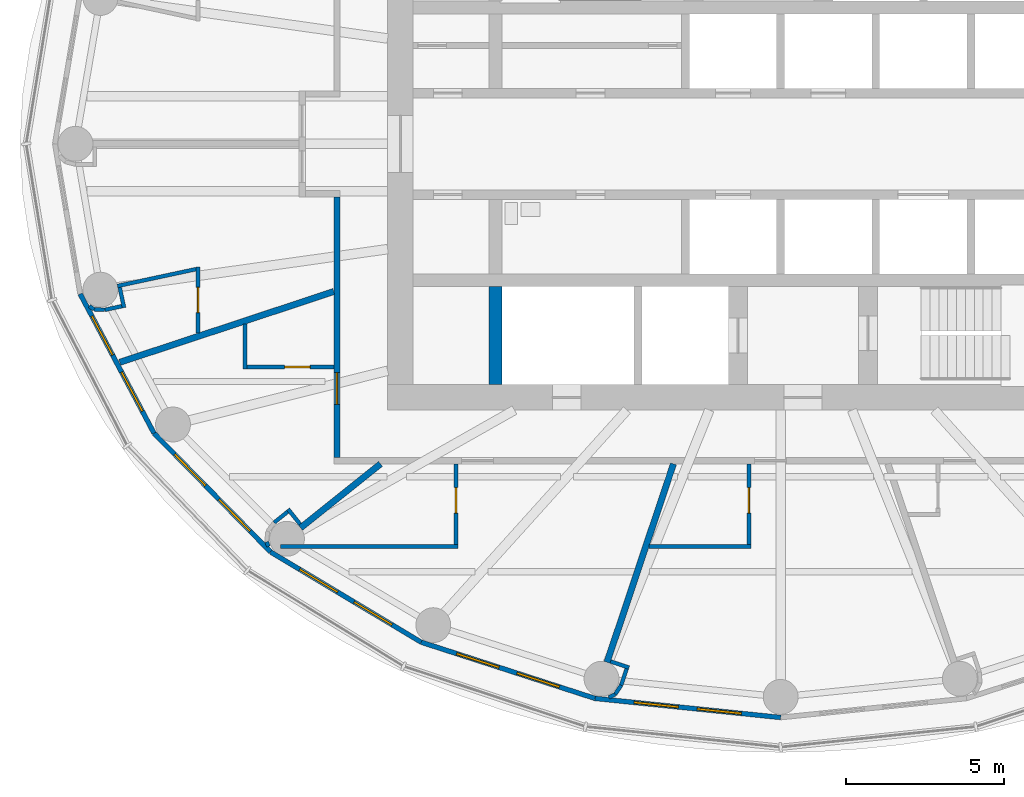
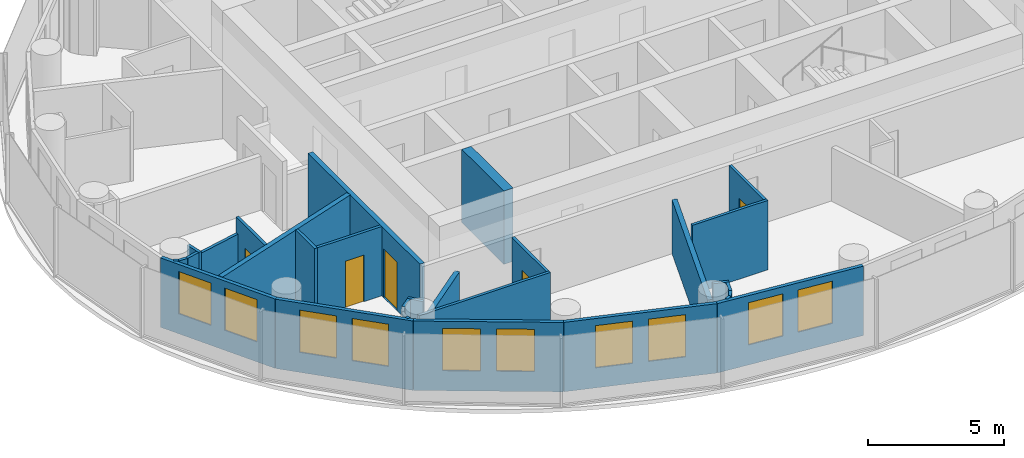
# One storey, part 6 of 16: 29 walls, 10 windows, 5 doors, 15 openings.
"""IFC4 building model written with IfcOpenShell, lengths in metres."""

from ifc_helpers import new_model, si_unit, direction, frame, frame_2d, origin, place, context, subcontext, project, spatial, rectangle, extrude, material, layer, layer_set, type_object, element, fill, save


model = new_model("IFC4")

# Units and contexts
model_context = context("Model", 3, precision=1e-05, world=origin(), true_north=direction((0.0, 1.0)))
body_context = subcontext(model_context, "Body", "Model", "MODEL_VIEW")
ifc_project = project(units=[si_unit("LENGTHUNIT", "METRE"), si_unit("AREAUNIT", "SQUARE_METRE"), si_unit("VOLUMEUNIT", "CUBIC_METRE"), si_unit("PLANEANGLEUNIT", "RADIAN"), si_unit("MASSUNIT", "GRAM", prefix="KILO")], contexts=[model_context])

# Site, building, storey
site_placement = place(None, origin())
site = spatial("IfcSite", under=ifc_project, at=site_placement, CompositionType="ELEMENT")
building_placement = place(site_placement, origin())
building = spatial("IfcBuilding", under=site, at=building_placement, Name="Hankou Lantern Tower", CompositionType="ELEMENT")
storey_placement = place(building_placement, frame((0.0, 0.0, 166.5)))
storey = spatial("IfcBuildingStorey", under=building, at=storey_placement, Name="L44", CompositionType="ELEMENT", Elevation=166.5)

# Wall
ifc_material_1 = material(Name="Concrete C60", Category="concrete")
ifc_layer_1 = layer(ifc_material_1, 0.39990234375)
ifc_layer_set_1 = layer_set([ifc_layer_1], Name="Concrete C60")
wall_type_1 = type_object("IfcWallType", Name="CW4 CORE CROSS WALL 400", PredefinedType="SHEAR", material=ifc_layer_set_1)
wall_1_placement = place(storey_placement, frame((-9.0, -7.60009765625, 0.0), z_axis=(0.0, 0.0, 1.0), x_axis=(0.0, 1.0, 0.0)))
element("IfcWall", 1, at=wall_1_placement, inside=storey, type_object=wall_type_1, Name="Core strip wall L44", PredefinedType="SHEAR", context=body_context, shape_type="SweptSolid", body=[
    extrude(rectangle(XDim=3.10009765625, YDim=0.39990234375, at=frame_2d((1.550048828125, 0.0))), origin(), (0.0, 0.0, 1.0), 3.300048828125),
])

# Wall, openings, windows
ifc_material_2 = material(Name="Aluminium spandrel panel on steel studs", Category="steel")
ifc_layer_2 = layer(ifc_material_2, 0.14990234375)
ifc_layer_set_2 = layer_set([ifc_layer_2], Name="Aluminium spandrel panel on steel studs")
wall_type_2 = type_object("IfcWallType", Name="EW1 INNER SKIN WALL 150", PredefinedType="ELEMENTEDWALL", material=ifc_layer_set_2)
wall_2_placement = place(storey_placement, frame((-22.1015625, -4.73779296875, 0.0), z_axis=(0.0, 0.0, 1.0), x_axis=(0.468428906714, -0.883501193748, 0.0)))
wall_2 = element("IfcWall", 2, at=wall_2_placement, inside=storey, type_object=wall_type_2, Name="Inner skin R14-R15 L44", PredefinedType="ELEMENTEDWALL", context=body_context, shape_type="SweptSolid", body=[
    extrude(rectangle(XDim=4.9736328125, YDim=0.14990234375, at=frame_2d((2.48681640625, 0.0))), origin(), (0.0, 0.0, 1.0), 3.1201171875),
])
opening_1_placement = place(wall_2_placement, frame((0.786865234375, 0.0, 0.89990234375)))
opening_1 = element("IfcOpeningElement", 3, at=opening_1_placement, cuts=wall_2, Name="Opening W3", PredefinedType="OPENING", context=body_context, shape_type="SweptSolid", body=[
    extrude(rectangle(XDim=1.39990234375, YDim=1.89990234375, at=frame_2d((0.699951171875, 0.949951171875))), frame((0.0, 0.0849609375, 0.0), z_axis=(0.0, -1.0, 0.0), x_axis=(1.0, 0.0, 0.0)), (0.0, 0.0, 1.0), 0.169921875),
])
opening_2_placement = place(wall_2_placement, frame((2.786865234375, 0.0, 0.89990234375)))
opening_2 = element("IfcOpeningElement", 4, at=opening_2_placement, cuts=wall_2, Name="Opening W3", PredefinedType="OPENING", context=body_context, shape_type="SweptSolid", body=[
    extrude(rectangle(XDim=1.39990234375, YDim=1.89990234375, at=frame_2d((0.699951171875, 0.949951171875))), frame((0.0, 0.0849609375, 0.0), z_axis=(0.0, -1.0, 0.0), x_axis=(1.0, 0.0, 0.0)), (0.0, 0.0, 1.0), 0.169921875),
])
ifc_material_3 = material(Name="Aluminium framed double glazed window", Category="aluminium")
window_type = type_object("IfcWindowType", Name="W3 GUEST ROOM WINDOW 1400X1900", PartitioningType="DOUBLE_PANEL_VERTICAL", PredefinedType="WINDOW", material=ifc_material_3)
window_1_placement = place(opening_1_placement, origin())
window_1 = element("IfcWindow", 5, at=window_1_placement, inside=storey, type_object=window_type, Name="Window R14.1 L44", OverallHeight=1.89990234375, OverallWidth=1.39990234375, PartitioningType="SINGLE_PANEL", PredefinedType="WINDOW", context=body_context, shape_type="SweptSolid", body=[
    extrude(rectangle(XDim=1.39990234375, YDim=1.89990234375, at=frame_2d((0.699951171875, 0.949951171875))), frame((0.0, 0.030029296875, 0.0), z_axis=(0.0, -1.0, 0.0), x_axis=(1.0, 0.0, 0.0)), (0.0, 0.0, 1.0), 0.06005859375),
])
fill(opening_1, window_1)
window_2_placement = place(opening_2_placement, origin())
window_2 = element("IfcWindow", 6, at=window_2_placement, inside=storey, type_object=window_type, Name="Window R14.2 L44", OverallHeight=1.89990234375, OverallWidth=1.39990234375, PartitioningType="SINGLE_PANEL", PredefinedType="WINDOW", context=body_context, shape_type="SweptSolid", body=[
    extrude(rectangle(XDim=1.39990234375, YDim=1.89990234375, at=frame_2d((0.699951171875, 0.949951171875))), frame((0.0, 0.030029296875, 0.0), z_axis=(0.0, -1.0, 0.0), x_axis=(1.0, 0.0, 0.0)), (0.0, 0.0, 1.0), 0.06005859375),
])
fill(opening_2, window_2)

wall_3_placement = place(storey_placement, frame((-19.771728515625, -9.132080078125, 0.0), z_axis=(0.0, 0.0, 1.0), x_axis=(0.700727467776, -0.71342905457, 0.0)))
wall_3 = element("IfcWall", 7, at=wall_3_placement, inside=storey, type_object=wall_type_2, Name="Inner skin R15-R16 L44", PredefinedType="ELEMENTEDWALL", context=body_context, shape_type="SweptSolid", body=[
    extrude(rectangle(XDim=5.247314453125, YDim=0.14990234375, at=frame_2d((2.62353515625, 0.0))), origin(), (0.0, 0.0, 1.0), 3.1201171875),
])
opening_3_placement = place(wall_3_placement, frame((0.923583984375, 0.0, 0.89990234375)))
opening_3 = element("IfcOpeningElement", 8, at=opening_3_placement, cuts=wall_3, Name="Opening W3", PredefinedType="OPENING", context=body_context, shape_type="SweptSolid", body=[
    extrude(rectangle(XDim=1.39990234375, YDim=1.89990234375, at=frame_2d((0.699951171875, 0.949951171875))), frame((0.0, 0.0849609375, 0.0), z_axis=(0.0, -1.0, 0.0), x_axis=(1.0, 0.0, 0.0)), (0.0, 0.0, 1.0), 0.169921875),
])
opening_4_placement = place(wall_3_placement, frame((2.923583984375, 0.0, 0.89990234375)))
opening_4 = element("IfcOpeningElement", 9, at=opening_4_placement, cuts=wall_3, Name="Opening W3", PredefinedType="OPENING", context=body_context, shape_type="SweptSolid", body=[
    extrude(rectangle(XDim=1.39990234375, YDim=1.89990234375, at=frame_2d((0.699951171875, 0.949951171875))), frame((0.0, 0.0849609375, 0.0), z_axis=(0.0, -1.0, 0.0), x_axis=(1.0, 0.0, 0.0)), (0.0, 0.0, 1.0), 0.169921875),
])
window_3_placement = place(opening_3_placement, origin())
window_3 = element("IfcWindow", 10, at=window_3_placement, inside=storey, type_object=window_type, Name="Window R15.1 L44", OverallHeight=1.89990234375, OverallWidth=1.39990234375, PartitioningType="SINGLE_PANEL", PredefinedType="WINDOW", context=body_context, shape_type="SweptSolid", body=[
    extrude(rectangle(XDim=1.39990234375, YDim=1.89990234375, at=frame_2d((0.699951171875, 0.949951171875))), frame((0.0, 0.030029296875, 0.0), z_axis=(0.0, -1.0, 0.0), x_axis=(1.0, 0.0, 0.0)), (0.0, 0.0, 1.0), 0.06005859375),
])
fill(opening_3, window_3)
window_4_placement = place(opening_4_placement, origin())
window_4 = element("IfcWindow", 11, at=window_4_placement, inside=storey, type_object=window_type, Name="Window R15.2 L44", OverallHeight=1.89990234375, OverallWidth=1.39990234375, PartitioningType="SINGLE_PANEL", PredefinedType="WINDOW", context=body_context, shape_type="SweptSolid", body=[
    extrude(rectangle(XDim=1.39990234375, YDim=1.89990234375, at=frame_2d((0.699951171875, 0.949951171875))), frame((0.0, 0.030029296875, 0.0), z_axis=(0.0, -1.0, 0.0), x_axis=(1.0, 0.0, 0.0)), (0.0, 0.0, 1.0), 0.06005859375),
])
fill(opening_4, window_4)

wall_4_placement = place(storey_placement, frame((-16.0947265625, -12.875732421875, 0.0), z_axis=(0.0, 0.0, 1.0), x_axis=(0.857695199231, -0.514158482587, 0.0)))
wall_4 = element("IfcWall", 12, at=wall_4_placement, inside=storey, type_object=wall_type_2, Name="Inner skin R16-R17 L44", PredefinedType="ELEMENTEDWALL", context=body_context, shape_type="SweptSolid", body=[
    extrude(rectangle(XDim=5.5361328125, YDim=0.14990234375, at=frame_2d((2.76806640625, 0.0))), origin(), (0.0, 0.0, 1.0), 3.1201171875),
])
opening_5_placement = place(wall_4_placement, frame((1.068115234375, 0.0, 0.89990234375)))
opening_5 = element("IfcOpeningElement", 13, at=opening_5_placement, cuts=wall_4, Name="Opening W3", PredefinedType="OPENING", context=body_context, shape_type="SweptSolid", body=[
    extrude(rectangle(XDim=1.39990234375, YDim=1.89990234375, at=frame_2d((0.699951171875, 0.949951171875))), frame((0.0, 0.0849609375, 0.0), z_axis=(0.0, -1.0, 0.0), x_axis=(1.0, 0.0, 0.0)), (0.0, 0.0, 1.0), 0.169921875),
])
opening_6_placement = place(wall_4_placement, frame((3.068115234375, 0.0, 0.89990234375)))
opening_6 = element("IfcOpeningElement", 14, at=opening_6_placement, cuts=wall_4, Name="Opening W3", PredefinedType="OPENING", context=body_context, shape_type="SweptSolid", body=[
    extrude(rectangle(XDim=1.39990234375, YDim=1.89990234375, at=frame_2d((0.699951171875, 0.949951171875))), frame((0.0, 0.0849609375, 0.0), z_axis=(0.0, -1.0, 0.0), x_axis=(1.0, 0.0, 0.0)), (0.0, 0.0, 1.0), 0.169921875),
])
window_5_placement = place(opening_5_placement, origin())
window_5 = element("IfcWindow", 15, at=window_5_placement, inside=storey, type_object=window_type, Name="Window R16.1 L44", OverallHeight=1.89990234375, OverallWidth=1.39990234375, PartitioningType="SINGLE_PANEL", PredefinedType="WINDOW", context=body_context, shape_type="SweptSolid", body=[
    extrude(rectangle(XDim=1.39990234375, YDim=1.89990234375, at=frame_2d((0.699951171875, 0.949951171875))), frame((0.0, 0.030029296875, 0.0), z_axis=(0.0, -1.0, 0.0), x_axis=(1.0, 0.0, 0.0)), (0.0, 0.0, 1.0), 0.06005859375),
])
fill(opening_5, window_5)
window_6_placement = place(opening_6_placement, origin())
window_6 = element("IfcWindow", 16, at=window_6_placement, inside=storey, type_object=window_type, Name="Window R16.2 L44", OverallHeight=1.89990234375, OverallWidth=1.39990234375, PartitioningType="SINGLE_PANEL", PredefinedType="WINDOW", context=body_context, shape_type="SweptSolid", body=[
    extrude(rectangle(XDim=1.39990234375, YDim=1.89990234375, at=frame_2d((0.699951171875, 0.949951171875))), frame((0.0, 0.030029296875, 0.0), z_axis=(0.0, -1.0, 0.0), x_axis=(1.0, 0.0, 0.0)), (0.0, 0.0, 1.0), 0.06005859375),
])
fill(opening_6, window_6)

wall_5_placement = place(storey_placement, frame((-11.346435546875, -15.72216796875, 0.0), z_axis=(0.0, 0.0, 1.0), x_axis=(0.951432482129, -0.307857486429, 0.0)))
wall_5 = element("IfcWall", 17, at=wall_5_placement, inside=storey, type_object=wall_type_2, Name="Inner skin R17-R18 L44", PredefinedType="ELEMENTEDWALL", context=body_context, shape_type="SweptSolid", body=[
    extrude(rectangle(XDim=5.76611328125, YDim=0.14990234375, at=frame_2d((2.883056640625, 0.0))), origin(), (0.0, 0.0, 1.0), 3.1201171875),
])
opening_7_placement = place(wall_5_placement, frame((1.18310546875, 0.0, 0.89990234375)))
opening_7 = element("IfcOpeningElement", 18, at=opening_7_placement, cuts=wall_5, Name="Opening W3", PredefinedType="OPENING", context=body_context, shape_type="SweptSolid", body=[
    extrude(rectangle(XDim=1.39990234375, YDim=1.89990234375, at=frame_2d((0.699951171875, 0.949951171875))), frame((0.0, 0.0849609375, 0.0), z_axis=(0.0, -1.0, 0.0), x_axis=(1.0, 0.0, 0.0)), (0.0, 0.0, 1.0), 0.169921875),
])
opening_8_placement = place(wall_5_placement, frame((3.18310546875, 0.0, 0.89990234375)))
opening_8 = element("IfcOpeningElement", 19, at=opening_8_placement, cuts=wall_5, Name="Opening W3", PredefinedType="OPENING", context=body_context, shape_type="SweptSolid", body=[
    extrude(rectangle(XDim=1.39990234375, YDim=1.89990234375, at=frame_2d((0.699951171875, 0.949951171875))), frame((0.0, 0.0849609375, 0.0), z_axis=(0.0, -1.0, 0.0), x_axis=(1.0, 0.0, 0.0)), (0.0, 0.0, 1.0), 0.169921875),
])
window_7_placement = place(opening_7_placement, origin())
window_7 = element("IfcWindow", 20, at=window_7_placement, inside=storey, type_object=window_type, Name="Window R17.1 L44", OverallHeight=1.89990234375, OverallWidth=1.39990234375, PartitioningType="SINGLE_PANEL", PredefinedType="WINDOW", context=body_context, shape_type="SweptSolid", body=[
    extrude(rectangle(XDim=1.39990234375, YDim=1.89990234375, at=frame_2d((0.699951171875, 0.949951171875))), frame((0.0, 0.030029296875, 0.0), z_axis=(0.0, -1.0, 0.0), x_axis=(1.0, 0.0, 0.0)), (0.0, 0.0, 1.0), 0.06005859375),
])
fill(opening_7, window_7)
window_8_placement = place(opening_8_placement, origin())
window_8 = element("IfcWindow", 21, at=window_8_placement, inside=storey, type_object=window_type, Name="Window R17.2 L44", OverallHeight=1.89990234375, OverallWidth=1.39990234375, PartitioningType="SINGLE_PANEL", PredefinedType="WINDOW", context=body_context, shape_type="SweptSolid", body=[
    extrude(rectangle(XDim=1.39990234375, YDim=1.89990234375, at=frame_2d((0.699951171875, 0.949951171875))), frame((0.0, 0.030029296875, 0.0), z_axis=(0.0, -1.0, 0.0), x_axis=(1.0, 0.0, 0.0)), (0.0, 0.0, 1.0), 0.06005859375),
])
fill(opening_8, window_8)

wall_6_placement = place(storey_placement, frame((-5.8603515625, -17.497314453125, 0.0), z_axis=(0.0, 0.0, 1.0), x_axis=(0.994751738032, -0.102318032045, 0.0)))
wall_6 = element("IfcWall", 22, at=wall_6_placement, inside=storey, type_object=wall_type_2, Name="Inner skin R18-R19 L44", PredefinedType="ELEMENTEDWALL", context=body_context, shape_type="SweptSolid", body=[
    extrude(rectangle(XDim=5.891357421875, YDim=0.14990234375, at=frame_2d((2.94580078125, 0.0))), origin(), (0.0, 0.0, 1.0), 3.1201171875),
])
opening_9_placement = place(wall_6_placement, frame((1.24560546875, 0.0, 0.89990234375)))
opening_9 = element("IfcOpeningElement", 23, at=opening_9_placement, cuts=wall_6, Name="Opening W3", PredefinedType="OPENING", context=body_context, shape_type="SweptSolid", body=[
    extrude(rectangle(XDim=1.39990234375, YDim=1.89990234375, at=frame_2d((0.699951171875, 0.949951171875))), frame((0.0, 0.0849609375, 0.0), z_axis=(0.0, -1.0, 0.0), x_axis=(1.0, 0.0, 0.0)), (0.0, 0.0, 1.0), 0.169921875),
])
opening_10_placement = place(wall_6_placement, frame((3.24560546875, 0.0, 0.89990234375)))
opening_10 = element("IfcOpeningElement", 24, at=opening_10_placement, cuts=wall_6, Name="Opening W3", PredefinedType="OPENING", context=body_context, shape_type="SweptSolid", body=[
    extrude(rectangle(XDim=1.39990234375, YDim=1.89990234375, at=frame_2d((0.699951171875, 0.949951171875))), frame((0.0, 0.0849609375, 0.0), z_axis=(0.0, -1.0, 0.0), x_axis=(1.0, 0.0, 0.0)), (0.0, 0.0, 1.0), 0.169921875),
])
window_9_placement = place(opening_9_placement, origin())
window_9 = element("IfcWindow", 25, at=window_9_placement, inside=storey, type_object=window_type, Name="Window R18.1 L44", OverallHeight=1.89990234375, OverallWidth=1.39990234375, PartitioningType="SINGLE_PANEL", PredefinedType="WINDOW", context=body_context, shape_type="SweptSolid", body=[
    extrude(rectangle(XDim=1.39990234375, YDim=1.89990234375, at=frame_2d((0.699951171875, 0.949951171875))), frame((0.0, 0.030029296875, 0.0), z_axis=(0.0, -1.0, 0.0), x_axis=(1.0, 0.0, 0.0)), (0.0, 0.0, 1.0), 0.06005859375),
])
fill(opening_9, window_9)
window_10_placement = place(opening_10_placement, origin())
window_10 = element("IfcWindow", 26, at=window_10_placement, inside=storey, type_object=window_type, Name="Window R18.2 L44", OverallHeight=1.89990234375, OverallWidth=1.39990234375, PartitioningType="SINGLE_PANEL", PredefinedType="WINDOW", context=body_context, shape_type="SweptSolid", body=[
    extrude(rectangle(XDim=1.39990234375, YDim=1.89990234375, at=frame_2d((0.699951171875, 0.949951171875))), frame((0.0, 0.030029296875, 0.0), z_axis=(0.0, -1.0, 0.0), x_axis=(1.0, 0.0, 0.0)), (0.0, 0.0, 1.0), 0.06005859375),
])
fill(opening_10, window_10)

# Walls
ifc_material_4 = material(Name="Masonry lightweight concrete block", Category="masonry")
ifc_layer_3 = layer(ifc_material_4, 0.199951171875)
ifc_layer_set_3 = layer_set([ifc_layer_3], Name="Masonry lightweight concrete block")
wall_type_3 = type_object("IfcWallType", Name="IW1 GUEST ROOM PARTY WALL 200", PredefinedType="PARTITIONING", material=ifc_layer_set_3)
wall_7_placement = place(storey_placement, frame((-14.10009765625, -4.661376953125, 0.0), z_axis=(0.0, 0.0, 1.0), x_axis=(-0.949453216399, -0.313908569285, 0.0)))
element("IfcWall", 27, at=wall_7_placement, inside=storey, type_object=wall_type_3, Name="Party wall R14-R15", PredefinedType="PARTITIONING", context=body_context, shape_type="SweptSolid", body=[
    extrude(rectangle(XDim=7.108642578125, YDim=0.199951171875, at=frame_2d((3.55419921875, 0.0))), origin(), (0.0, 0.0, 1.0), 3.1201171875),
])
wall_8_placement = place(storey_placement, frame((-12.625, -10.10009765625, 0.0), z_axis=(0.0, 0.0, 1.0), x_axis=(-0.780876185034, -0.624685827954, 0.0)))
element("IfcWall", 28, at=wall_8_placement, inside=storey, type_object=wall_type_3, Name="Party wall R16", PredefinedType="PARTITIONING", context=body_context, shape_type="SweptSolid", body=[
    extrude(rectangle(XDim=3.229248046875, YDim=0.199951171875, at=frame_2d((1.61474609375, 0.0))), origin(), (0.0, 0.0, 1.0), 2.419921875),
])
wall_9_placement = place(storey_placement, frame((-3.3828125, -10.10009765625, 0.0), z_axis=(0.0, 0.0, 1.0), x_axis=(-0.317615120474, -0.948219718866, 0.0)))
element("IfcWall", 29, at=wall_9_placement, inside=storey, type_object=wall_type_3, Name="Party wall R18", PredefinedType="PARTITIONING", context=body_context, shape_type="SweptSolid", body=[
    extrude(rectangle(XDim=6.597412109375, YDim=0.199951171875, at=frame_2d((3.298828125, 0.0))), origin(), (0.0, 0.0, 1.0), 2.419921875),
])

# Wall, opening, door
ifc_material_5 = material(Name="Masonry lightweight concrete block", Category="masonry")
ifc_layer_4 = layer(ifc_material_5, 0.199951171875)
ifc_layer_set_4 = layer_set([ifc_layer_4], Name="Masonry lightweight concrete block")
wall_type_4 = type_object("IfcWallType", Name="IW2 CORRIDOR WALL 200", PredefinedType="PARTITIONING", material=ifc_layer_set_4)
wall_10_placement = place(storey_placement, frame((-14.0, -1.669921875, 0.0), z_axis=(0.0, 0.0, 1.0), x_axis=(0.0, -1.0, 0.0)))
wall_10 = element("IfcWall", 30, at=wall_10_placement, inside=storey, type_object=wall_type_4, Name="Corridor wall west", PredefinedType="PARTITIONING", context=body_context, shape_type="SweptSolid", body=[
    extrude(rectangle(XDim=8.22998046875, YDim=0.199951171875, at=frame_2d((4.114990234375, 0.0))), origin(), (0.0, 0.0, 1.0), 3.1201171875),
])
opening_11_placement = place(wall_10_placement, frame((5.551513671875, 0.0, 0.0)))
opening_11 = element("IfcOpeningElement", 31, at=opening_11_placement, cuts=wall_10, Name="Opening D1", PredefinedType="OPENING", context=body_context, shape_type="SweptSolid", body=[
    extrude(rectangle(XDim=1.0, YDim=2.199951171875, at=frame_2d((0.5, 1.10009765625))), frame((0.0, 0.10986328125, 0.0), z_axis=(0.0, -1.0, 0.0), x_axis=(1.0, 0.0, 0.0)), (0.0, 0.0, 1.0), 0.219970703125),
])
ifc_material_6 = material(Name="Steel door leaf", Category="steel")
door_type_1 = type_object("IfcDoorType", Name="D1 GUEST ROOM DOOR 1000X2200", OperationType="SINGLE_SWING_LEFT", PredefinedType="DOOR", material=ifc_material_6)
door_1_placement = place(opening_11_placement, origin())
door_1 = element("IfcDoor", 32, at=door_1_placement, inside=storey, type_object=door_type_1, Name="Guest room door 4414", OperationType="SINGLE_SWING_RIGHT", OverallHeight=2.199951171875, OverallWidth=1.0, PredefinedType="DOOR", context=body_context, shape_type="SweptSolid", body=[
    extrude(rectangle(XDim=1.0, YDim=2.199951171875, at=frame_2d((0.5, 1.10009765625))), frame((0.0, 0.02490234375, 0.0), z_axis=(0.0, -1.0, 0.0), x_axis=(1.0, 0.0, 0.0)), (0.0, 0.0, 1.0), 0.050048828125),
])
fill(opening_11, door_1)

# Wall
ifc_material_7 = material(Name="Masonry lightweight concrete block", Category="masonry")
ifc_layer_5 = layer(ifc_material_7, 0.1201171875)
ifc_layer_set_5 = layer_set([ifc_layer_5], Name="Masonry lightweight concrete block")
wall_type_5 = type_object("IfcWallType", Name="IW3 BATHROOM WALL 120", PredefinedType="PARTITIONING", material=ifc_layer_set_5)
wall_11_placement = place(storey_placement, frame((-15.77490234375, -12.699951171875, 0.0), z_axis=(0.0, 0.0, 1.0), x_axis=(1.0, 0.0, 0.0)))
element("IfcWall", 33, at=wall_11_placement, inside=storey, type_object=wall_type_5, Name="Box wall 4401 1", PredefinedType="PARTITIONING", context=body_context, shape_type="SweptSolid", body=[
    extrude(rectangle(XDim=5.58984375, YDim=0.1201171875, at=frame_2d((2.794921875, 0.0))), origin(), (0.0, 0.0, 1.0), 3.1201171875),
])

# Wall, opening, door
wall_12_placement = place(storey_placement, frame((-10.2451171875, -10.10009765625, 0.0), z_axis=(0.0, 0.0, 1.0), x_axis=(0.0, -1.0, 0.0)))
wall_12 = element("IfcWall", 34, at=wall_12_placement, inside=storey, type_object=wall_type_5, Name="Box wall 4401 1", PredefinedType="PARTITIONING", context=body_context, shape_type="SweptSolid", body=[
    extrude(rectangle(XDim=2.539794921875, YDim=0.1201171875, at=frame_2d((1.27001953125, 0.0))), origin(), (0.0, 0.0, 1.0), 3.1201171875),
])
opening_12_placement = place(wall_12_placement, frame((0.75, 0.0, 0.0)))
opening_12 = element("IfcOpeningElement", 35, at=opening_12_placement, cuts=wall_12, Name="Opening D3", PredefinedType="OPENING", context=body_context, shape_type="SweptSolid", body=[
    extrude(rectangle(XDim=0.800048828125, YDim=2.10009765625, at=frame_2d((0.39990234375, 1.050048828125))), frame((0.0, 0.070068359375, 0.0), z_axis=(0.0, -1.0, 0.0), x_axis=(1.0, 0.0, 0.0)), (0.0, 0.0, 1.0), 0.14013671875),
])
ifc_material_8 = material(Name="Timber door leaf", Category="wood")
door_type_2 = type_object("IfcDoorType", Name="D3 BATHROOM DOOR 800X2100", OperationType="SINGLE_SWING_LEFT", PredefinedType="DOOR", material=ifc_material_8)
door_2_placement = place(opening_12_placement, origin())
door_2 = element("IfcDoor", 36, at=door_2_placement, inside=storey, type_object=door_type_2, Name="Junior suite 4401 bathroom door", OperationType="SINGLE_SWING_LEFT", OverallHeight=2.10009765625, OverallWidth=0.800048828125, PredefinedType="DOOR", context=body_context, shape_type="SweptSolid", body=[
    extrude(rectangle(XDim=0.800048828125, YDim=2.10009765625, at=frame_2d((0.39990234375, 1.050048828125))), frame((0.0, 0.02490234375, 0.0), z_axis=(0.0, -1.0, 0.0), x_axis=(1.0, 0.0, 0.0)), (0.0, 0.0, 1.0), 0.050048828125),
])
fill(opening_12, door_2)

# Wall
wall_13_placement = place(storey_placement, frame((-4.15380859375, -12.699951171875, 0.0), z_axis=(0.0, 0.0, 1.0), x_axis=(1.0, 0.0, 0.0)))
element("IfcWall", 37, at=wall_13_placement, inside=storey, type_object=wall_type_5, Name="Box wall 4402 1", PredefinedType="PARTITIONING", context=body_context, shape_type="SweptSolid", body=[
    extrude(rectangle(XDim=3.2109375, YDim=0.1201171875, at=frame_2d((1.60546875, 0.0))), origin(), (0.0, 0.0, 1.0), 3.1201171875),
])

# Wall, opening, door
wall_14_placement = place(storey_placement, frame((-1.0029296875, -10.10009765625, 0.0), z_axis=(0.0, 0.0, 1.0), x_axis=(0.0, -1.0, 0.0)))
wall_14 = element("IfcWall", 38, at=wall_14_placement, inside=storey, type_object=wall_type_5, Name="Box wall 4402 1", PredefinedType="PARTITIONING", context=body_context, shape_type="SweptSolid", body=[
    extrude(rectangle(XDim=2.539794921875, YDim=0.1201171875, at=frame_2d((1.27001953125, 0.0))), origin(), (0.0, 0.0, 1.0), 3.1201171875),
])
opening_13_placement = place(wall_14_placement, frame((0.75, 0.0, 0.0)))
opening_13 = element("IfcOpeningElement", 39, at=opening_13_placement, cuts=wall_14, Name="Opening D3", PredefinedType="OPENING", context=body_context, shape_type="SweptSolid", body=[
    extrude(rectangle(XDim=0.800048828125, YDim=2.10009765625, at=frame_2d((0.39990234375, 1.050048828125))), frame((0.0, 0.070068359375, 0.0), z_axis=(0.0, -1.0, 0.0), x_axis=(1.0, 0.0, 0.0)), (0.0, 0.0, 1.0), 0.14013671875),
])
door_3_placement = place(opening_13_placement, origin())
door_3 = element("IfcDoor", 40, at=door_3_placement, inside=storey, type_object=door_type_2, Name="Junior suite 4402 bathroom door", OperationType="SINGLE_SWING_LEFT", OverallHeight=2.10009765625, OverallWidth=0.800048828125, PredefinedType="DOOR", context=body_context, shape_type="SweptSolid", body=[
    extrude(rectangle(XDim=0.800048828125, YDim=2.10009765625, at=frame_2d((0.39990234375, 1.050048828125))), frame((0.0, 0.02490234375, 0.0), z_axis=(0.0, -1.0, 0.0), x_axis=(1.0, 0.0, 0.0)), (0.0, 0.0, 1.0), 0.050048828125),
])
fill(opening_13, door_3)

wall_15_placement = place(storey_placement, frame((-18.380859375, -5.971435546875, 0.0), z_axis=(0.0, 0.0, 1.0), x_axis=(-0.000934142516, 0.999999563689, 0.0)))
wall_15 = element("IfcWall", 41, at=wall_15_placement, inside=storey, type_object=wall_type_5, Name="Box wall 4413 1", PredefinedType="PARTITIONING", context=body_context, shape_type="SweptSolid", body=[
    extrude(rectangle(XDim=2.0908203125, YDim=0.1201171875, at=frame_2d((1.04541015625, 0.0))), origin(), (0.0, 0.0, 1.0), 3.1201171875),
])
opening_14_placement = place(wall_15_placement, frame((0.6455078125, 0.0, 0.0)))
opening_14 = element("IfcOpeningElement", 42, at=opening_14_placement, cuts=wall_15, Name="Opening D3", PredefinedType="OPENING", context=body_context, shape_type="SweptSolid", body=[
    extrude(rectangle(XDim=0.800048828125, YDim=2.10009765625, at=frame_2d((0.39990234375, 1.050048828125))), frame((0.0, 0.070068359375, 0.0), z_axis=(0.0, -1.0, 0.0), x_axis=(1.0, 0.0, 0.0)), (0.0, 0.0, 1.0), 0.14013671875),
])
door_4_placement = place(opening_14_placement, origin())
door_4 = element("IfcDoor", 43, at=door_4_placement, inside=storey, type_object=door_type_2, Name="En-suite bathroom 4413 door", OperationType="SINGLE_SWING_RIGHT", OverallHeight=2.10009765625, OverallWidth=0.800048828125, PredefinedType="DOOR", context=body_context, shape_type="SweptSolid", body=[
    extrude(rectangle(XDim=0.800048828125, YDim=2.10009765625, at=frame_2d((0.39990234375, 1.050048828125))), frame((0.0, 0.02490234375, 0.0), z_axis=(0.0, -1.0, 0.0), x_axis=(1.0, 0.0, 0.0)), (0.0, 0.0, 1.0), 0.050048828125),
])
fill(opening_14, door_4)

# Walls
wall_16_placement = place(storey_placement, frame((-18.44140625, -3.953125, 0.0), z_axis=(0.0, 0.0, 1.0), x_axis=(-0.977801007461, -0.209535652833, 0.0)))
element("IfcWall", 44, at=wall_16_placement, inside=storey, type_object=wall_type_5, Name="Box wall 4413 2", PredefinedType="PARTITIONING", context=body_context, shape_type="SweptSolid", body=[
    extrude(rectangle(XDim=2.5400390625, YDim=0.1201171875, at=frame_2d((1.27001953125, 0.0))), origin(), (0.0, 0.0, 1.0), 2.419921875),
])
wall_17_placement = place(storey_placement, frame((-20.853759765625, -4.531494140625, 0.0), z_axis=(0.0, 0.0, 1.0), x_axis=(0.209631346779, -0.977780496046, 0.0)))
element("IfcWall", 45, at=wall_17_placement, inside=storey, type_object=wall_type_5, Name="Column casing 4413 return", PredefinedType="PARTITIONING", context=body_context, shape_type="SweptSolid", body=[
    extrude(rectangle(XDim=0.652099609375, YDim=0.1201171875, at=frame_2d((0.326171875, 0.0))), origin(), (0.0, 0.0, 1.0), 3.1201171875),
])
wall_18_placement = place(storey_placement, frame((-20.788330078125, -5.123291015625, 0.0), z_axis=(0.0, 0.0, 1.0), x_axis=(-0.977789415726, -0.209589738521, 0.0)))
element("IfcWall", 46, at=wall_18_placement, inside=storey, type_object=wall_type_5, Name="Column casing 4413", PredefinedType="PARTITIONING", context=body_context, shape_type="SweptSolid", body=[
    extrude(rectangle(XDim=0.5498046875, YDim=0.1201171875, at=frame_2d((0.27490234375, 0.0))), origin(), (0.0, 0.0, 1.0), 3.1201171875),
])
wall_19_placement = place(storey_placement, frame((-21.325927734375, -5.238525390625, 0.0), z_axis=(0.0, 0.0, 1.0), x_axis=(-0.998719689441, 0.050586380797, 0.0)))
element("IfcWall", 47, at=wall_19_placement, inside=storey, type_object=wall_type_5, Name="Column casing 4413", PredefinedType="PARTITIONING", context=body_context, shape_type="SweptSolid", body=[
    extrude(rectangle(XDim=0.337890625, YDim=0.1201171875, at=frame_2d((0.1689453125, 0.0))), origin(), (0.0, 0.0, 1.0), 3.1201171875),
])
wall_20_placement = place(storey_placement, frame((-21.663330078125, -5.221435546875, 0.0), z_axis=(0.0, 0.0, 1.0), x_axis=(-0.839279022252, 0.543700949795, 0.0)))
element("IfcWall", 48, at=wall_20_placement, inside=storey, type_object=wall_type_5, Name="Column casing 4413", PredefinedType="PARTITIONING", context=body_context, shape_type="SweptSolid", body=[
    extrude(rectangle(XDim=0.18017578125, YDim=0.1201171875, at=frame_2d((0.090087890625, 0.0))), origin(), (0.0, 0.0, 1.0), 3.1201171875),
])
wall_21_placement = place(storey_placement, frame((-16.89990234375, -5.687255859375, 0.0), z_axis=(0.0, 0.0, 1.0), x_axis=(0.0, -1.0, 0.0)))
element("IfcWall", 49, at=wall_21_placement, inside=storey, type_object=wall_type_5, Name="Box wall 4414 1", PredefinedType="PARTITIONING", context=body_context, shape_type="SweptSolid", body=[
    extrude(rectangle(XDim=1.414306640625, YDim=0.1201171875, at=frame_2d((0.70703125, 0.0))), origin(), (0.0, 0.0, 1.0), 3.1201171875),
])

# Wall, opening, door
wall_22_placement = place(storey_placement, frame((-14.10009765625, -7.04150390625, 0.0), z_axis=(0.0, 0.0, 1.0), x_axis=(-1.0, 0.0, 0.0)))
wall_22 = element("IfcWall", 50, at=wall_22_placement, inside=storey, type_object=wall_type_5, Name="Box wall 4414 1", PredefinedType="PARTITIONING", context=body_context, shape_type="SweptSolid", body=[
    extrude(rectangle(XDim=2.739990234375, YDim=0.1201171875, at=frame_2d((1.3701171875, 0.0))), origin(), (0.0, 0.0, 1.0), 3.1201171875),
])
opening_15_placement = place(wall_22_placement, frame((0.75, 0.0, 0.0)))
opening_15 = element("IfcOpeningElement", 51, at=opening_15_placement, cuts=wall_22, Name="Opening D3", PredefinedType="OPENING", context=body_context, shape_type="SweptSolid", body=[
    extrude(rectangle(XDim=0.800048828125, YDim=2.10009765625, at=frame_2d((0.39990234375, 1.050048828125))), frame((0.0, 0.070068359375, 0.0), z_axis=(0.0, -1.0, 0.0), x_axis=(1.0, 0.0, 0.0)), (0.0, 0.0, 1.0), 0.14013671875),
])
door_5_placement = place(opening_15_placement, origin())
door_5 = element("IfcDoor", 52, at=door_5_placement, inside=storey, type_object=door_type_2, Name="En-suite bathroom 4414 door", OperationType="SINGLE_SWING_LEFT", OverallHeight=2.10009765625, OverallWidth=0.800048828125, PredefinedType="DOOR", context=body_context, shape_type="SweptSolid", body=[
    extrude(rectangle(XDim=0.800048828125, YDim=2.10009765625, at=frame_2d((0.39990234375, 1.050048828125))), frame((0.0, 0.02490234375, 0.0), z_axis=(0.0, -1.0, 0.0), x_axis=(1.0, 0.0, 0.0)), (0.0, 0.0, 1.0), 0.050048828125),
])
fill(opening_15, door_5)

# Walls
ifc_material_9 = material(Name="Masonry lightweight concrete block", Category="masonry")
ifc_layer_6 = layer(ifc_material_9, 0.1201171875)
ifc_layer_set_6 = layer_set([ifc_layer_6], Name="Masonry lightweight concrete block")
wall_type_6 = type_object("IfcWallType", Name="IW4 PARTITION 120", PredefinedType="PARTITIONING", material=ifc_layer_set_6)
wall_23_placement = place(storey_placement, frame((-15.162353515625, -12.001708984375, 0.0), z_axis=(0.0, 0.0, 1.0), x_axis=(-0.624597762427, 0.780946627607, 0.0)))
element("IfcWall", 53, at=wall_23_placement, inside=storey, type_object=wall_type_6, Name="Column casing R16 return", PredefinedType="PARTITIONING", context=body_context, shape_type="SweptSolid", body=[
    extrude(rectangle(XDim=0.612060546875, YDim=0.1201171875, at=frame_2d((0.30615234375, 0.0))), origin(), (0.0, 0.0, 1.0), 3.1201171875),
])
wall_24_placement = place(storey_placement, frame((-15.55419921875, -11.60791015625, 0.0), z_axis=(0.0, 0.0, 1.0), x_axis=(-0.780695577787, -0.624911525597, 0.0)))
element("IfcWall", 54, at=wall_24_placement, inside=storey, type_object=wall_type_6, Name="Column casing R16", PredefinedType="PARTITIONING", context=body_context, shape_type="SweptSolid", body=[
    extrude(rectangle(XDim=0.550048828125, YDim=0.1201171875, at=frame_2d((0.27490234375, 0.0))), origin(), (0.0, 0.0, 1.0), 3.1201171875),
])
wall_25_placement = place(storey_placement, frame((-16.220947265625, -12.55908203125, 0.0), z_axis=(0.0, 0.0, 1.0), x_axis=(0.401064416249, -0.916049853457, 0.0)))
element("IfcWall", 55, at=wall_25_placement, inside=storey, type_object=wall_type_6, Name="Column casing R16", PredefinedType="PARTITIONING", context=body_context, shape_type="SweptSolid", body=[
    extrude(rectangle(XDim=0.156494140625, YDim=0.1201171875, at=frame_2d((0.078125, 0.0))), origin(), (0.0, 0.0, 1.0), 3.1201171875),
])
wall_26_placement = place(storey_placement, frame((-5.3642578125, -16.330810546875, 0.0), z_axis=(0.0, 0.0, 1.0), x_axis=(0.948283770087, -0.317423835572, 0.0)))
element("IfcWall", 56, at=wall_26_placement, inside=storey, type_object=wall_type_6, Name="Column casing R18 return", PredefinedType="PARTITIONING", context=body_context, shape_type="SweptSolid", body=[
    extrude(rectangle(XDim=0.6123046875, YDim=0.1201171875, at=frame_2d((0.30615234375, 0.0))), origin(), (0.0, 0.0, 1.0), 3.1201171875),
])
wall_27_placement = place(storey_placement, frame((-4.859619140625, -16.56298828125, 0.0), z_axis=(0.0, 0.0, 1.0), x_axis=(-0.317825321803, -0.948149284038, 0.0)))
element("IfcWall", 57, at=wall_27_placement, inside=storey, type_object=wall_type_6, Name="Column casing R18", PredefinedType="PARTITIONING", context=body_context, shape_type="SweptSolid", body=[
    extrude(rectangle(XDim=0.550048828125, YDim=0.1201171875, at=frame_2d((0.27490234375, 0.0))), origin(), (0.0, 0.0, 1.0), 3.1201171875),
])
wall_28_placement = place(storey_placement, frame((-5.034423828125, -17.08447265625, 0.0), z_axis=(0.0, 0.0, 1.0), x_axis=(-0.552362205726, -0.833604218851, 0.0)))
element("IfcWall", 58, at=wall_28_placement, inside=storey, type_object=wall_type_6, Name="Column casing R18", PredefinedType="PARTITIONING", context=body_context, shape_type="SweptSolid", body=[
    extrude(rectangle(XDim=0.337646484375, YDim=0.1201171875, at=frame_2d((0.1689453125, 0.0))), origin(), (0.0, 0.0, 1.0), 3.1201171875),
])
wall_29_placement = place(storey_placement, frame((-5.220947265625, -17.365966796875, 0.0), z_axis=(0.0, 0.0, 1.0), x_axis=(-0.895067896179, -0.445929883759, 0.0)))
element("IfcWall", 59, at=wall_29_placement, inside=storey, type_object=wall_type_6, Name="Column casing R18", PredefinedType="PARTITIONING", context=body_context, shape_type="SweptSolid", body=[
    extrude(rectangle(XDim=0.228271484375, YDim=0.1201171875, at=frame_2d((0.1142578125, 0.0))), origin(), (0.0, 0.0, 1.0), 3.1201171875),
])

save(model, "model.ifc")
